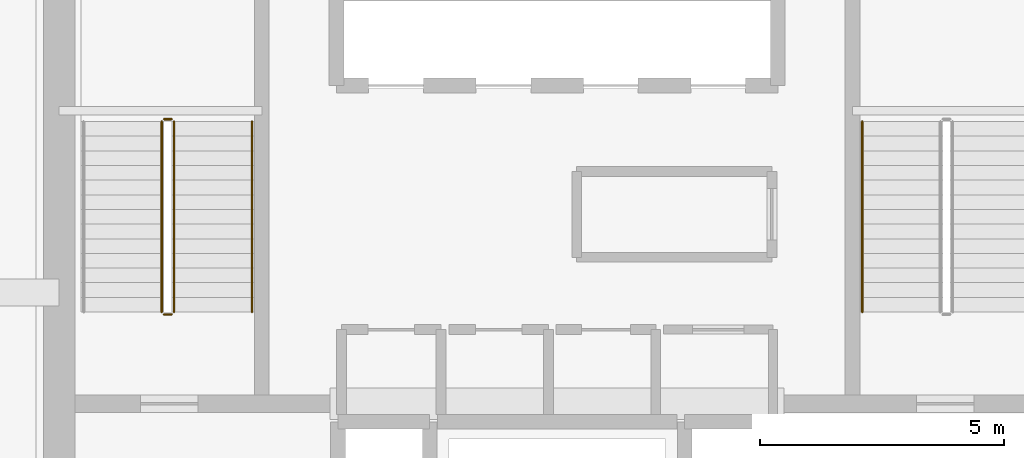
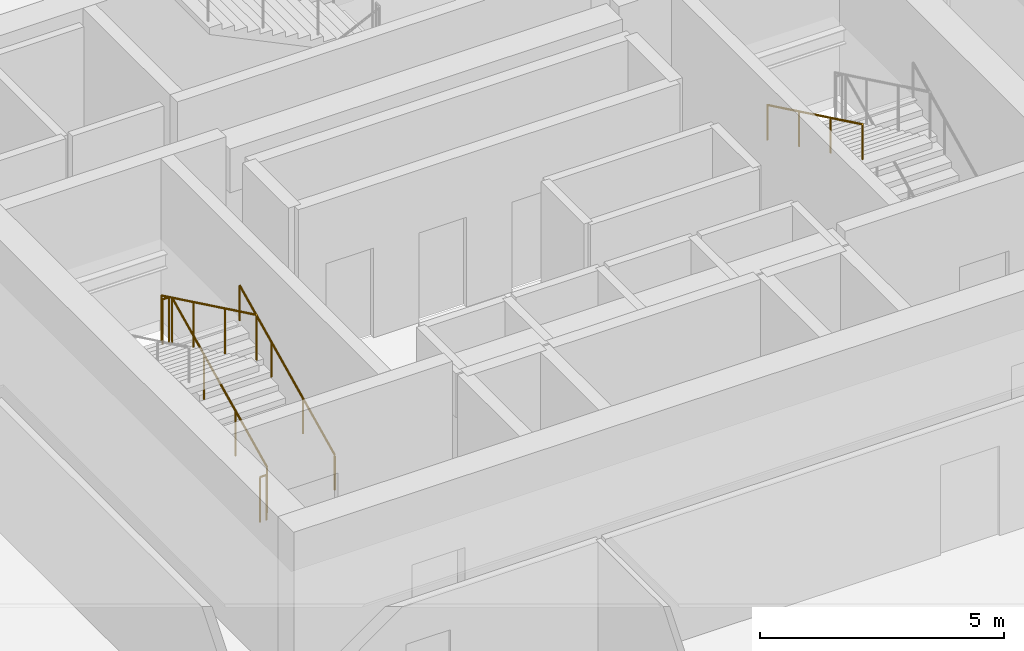
# One storey, part 18 of 27: 6 railings.
"""IFC4 building model written with IfcOpenShell, lengths in metres."""

from ifc_helpers import new_model, si_unit, direction, frame, origin, origin_2d, place, context, subcontext, project, spatial, circle, extrude, material, type_object, element, save


model = new_model("IFC4")

# Units and contexts
model_context = context("Model", 3, precision=1e-05, world=origin(), true_north=direction((0.0, 1.0)))
body_context = subcontext(model_context, "Body", "Model", "MODEL_VIEW")
ifc_project = project(units=[si_unit("LENGTHUNIT", "METRE"), si_unit("AREAUNIT", "SQUARE_METRE"), si_unit("VOLUMEUNIT", "CUBIC_METRE"), si_unit("PLANEANGLEUNIT", "RADIAN"), si_unit("MASSUNIT", "GRAM", prefix="KILO")], contexts=[model_context])

# Site, building, storey
site_placement = place(None, origin())
site = spatial("IfcSite", under=ifc_project, at=site_placement, CompositionType="ELEMENT")
building_placement = place(site_placement, origin())
building = spatial("IfcBuilding", under=site, at=building_placement, Name="Punatoya Terracotta Tower", CompositionType="ELEMENT")
storey_placement = place(building_placement, frame((0.0, 0.0, 204.60009765625)))
storey = spatial("IfcBuildingStorey", under=building, at=storey_placement, Name="L48", CompositionType="ELEMENT", Elevation=204.60009765625)

# Railings
ifc_material = material(Name="Steel S355", Category="steel")
railing_type_1 = type_object("IfcRailingType", Name="RLG-GRD-1150", PredefinedType="GUARDRAIL", material=ifc_material)
railing_1_placement = place(storey_placement, frame((-7.85009765625, -3.800048828125, 0.14453125)))
element("IfcRailing", 1, at=railing_1_placement, inside=storey, type_object=railing_type_1, Name="L48 ST-1 stair guard 1", PredefinedType="GUARDRAIL", context=body_context, shape_type="SweptSolid", body=[
    extrude(circle(Radius=0.02392578125, at=origin_2d()), frame((0.0, 0.0, 1.1259765625), z_axis=(0.0, 0.900773802044, 0.434288564841), x_axis=(-1.0, 0.0, 0.0)), (0.0, 0.0, 1.0), 4.329833984375),
    extrude(circle(Radius=0.02099609375, at=origin_2d()), origin(), (0.0, 0.0, 1.0), 1.101806640625),
    extrude(circle(Radius=0.02099609375, at=origin_2d()), frame((0.0, 1.300048828125, 0.626708984375)), (0.0, 0.0, 1.0), 1.101806640625),
    extrude(circle(Radius=0.02099609375, at=origin_2d()), frame((0.0, 2.60009765625, 1.253662109375)), (0.0, 0.0, 1.0), 1.101806640625),
    extrude(circle(Radius=0.02099609375, at=origin_2d()), frame((0.0, 3.900146484375, 1.88037109375)), (0.0, 0.0, 1.0), 1.101806640625),
])
railing_2_placement = place(storey_placement, frame((-7.89990234375, 0.14990234375, 2.02490234375)))
element("IfcRailing", 2, at=railing_2_placement, inside=storey, type_object=railing_type_1, Name="L48 ST-1 stair guard 2", PredefinedType="GUARDRAIL", context=body_context, shape_type="SweptSolid", body=[
    extrude(circle(Radius=0.02392578125, at=origin_2d()), frame((0.0, 0.0, 1.1259765625), z_axis=(-1.0, 0.0, 0.0), x_axis=(0.0, -1.0, 0.0)), (0.0, 0.0, 1.0), 0.150146484375),
    extrude(circle(Radius=0.02099609375, at=origin_2d()), origin(), (0.0, 0.0, 1.0), 1.101806640625),
    extrude(circle(Radius=0.02099609375, at=origin_2d()), frame((-0.150146484375, 0.0, 0.0)), (0.0, 0.0, 1.0), 1.101806640625),
])
railing_3_placement = place(storey_placement, frame((-8.10009765625, 0.10009765625, 2.16943359375)))
element("IfcRailing", 3, at=railing_3_placement, inside=storey, type_object=railing_type_1, Name="L48 ST-1 stair guard 3", PredefinedType="GUARDRAIL", context=body_context, shape_type="SweptSolid", body=[
    extrude(circle(Radius=0.02392578125, at=origin_2d()), frame((0.0, 0.0, 1.1259765625), z_axis=(0.0, -0.900773802044, 0.434288564841), x_axis=(1.0, 0.0, 0.0)), (0.0, 0.0, 1.0), 4.329833984375),
    extrude(circle(Radius=0.02099609375, at=origin_2d()), origin(), (0.0, 0.0, 1.0), 1.101806640625),
    extrude(circle(Radius=0.02099609375, at=origin_2d()), frame((0.0, -1.300048828125, 0.626708984375)), (0.0, 0.0, 1.0), 1.101806640625),
    extrude(circle(Radius=0.02099609375, at=origin_2d()), frame((0.0, -2.60009765625, 1.253662109375)), (0.0, 0.0, 1.0), 1.101806640625),
    extrude(circle(Radius=0.02099609375, at=origin_2d()), frame((0.0, -3.900146484375, 1.88037109375)), (0.0, 0.0, 1.0), 1.101806640625),
])
railing_4_placement = place(storey_placement, frame((-7.89990234375, -3.85009765625, 0.0)))
element("IfcRailing", 4, at=railing_4_placement, inside=storey, type_object=railing_type_1, Name="L48 ST-1 stair guard 4", PredefinedType="GUARDRAIL", context=body_context, shape_type="SweptSolid", body=[
    extrude(circle(Radius=0.02392578125, at=origin_2d()), frame((0.0, 0.0, 1.1259765625), z_axis=(-1.0, 0.0, 0.0), x_axis=(0.0, -1.0, 0.0)), (0.0, 0.0, 1.0), 0.150146484375),
    extrude(circle(Radius=0.02099609375, at=origin_2d()), origin(), (0.0, 0.0, 1.0), 1.101806640625),
    extrude(circle(Radius=0.02099609375, at=origin_2d()), frame((-0.150146484375, 0.0, 0.0)), (0.0, 0.0, 1.0), 1.101806640625),
])
railing_type_2 = type_object("IfcRailingType", Name="RLG-HND-900", PredefinedType="HANDRAIL", material=ifc_material)
railing_5_placement = place(storey_placement, frame((-6.25, -3.800048828125, 0.14453125)))
element("IfcRailing", 5, at=railing_5_placement, inside=storey, type_object=railing_type_2, Name="L48 ST-1 stair handrail 1", PredefinedType="HANDRAIL", context=body_context, shape_type="SweptSolid", body=[
    extrude(circle(Radius=0.02392578125, at=origin_2d()), frame((0.0, 0.0, 0.8759765625), z_axis=(0.0, 0.900773802044, 0.434288564841), x_axis=(-1.0, 0.0, 0.0)), (0.0, 0.0, 1.0), 4.329833984375),
    extrude(circle(Radius=0.02099609375, at=origin_2d()), origin(), (0.0, 0.0, 1.0), 0.851806640625),
    extrude(circle(Radius=0.02099609375, at=origin_2d()), frame((0.0, 1.300048828125, 0.626708984375)), (0.0, 0.0, 1.0), 0.851806640625),
    extrude(circle(Radius=0.02099609375, at=origin_2d()), frame((0.0, 2.60009765625, 1.253662109375)), (0.0, 0.0, 1.0), 0.851806640625),
    extrude(circle(Radius=0.02099609375, at=origin_2d()), frame((0.0, 3.900146484375, 1.88037109375)), (0.0, 0.0, 1.0), 0.851806640625),
])
railing_6_placement = place(storey_placement, frame((6.25, 0.10009765625, 2.16943359375)))
element("IfcRailing", 6, at=railing_6_placement, inside=storey, type_object=railing_type_2, Name="L48 ST-2 stair handrail 2", PredefinedType="HANDRAIL", context=body_context, shape_type="SweptSolid", body=[
    extrude(circle(Radius=0.02392578125, at=origin_2d()), frame((0.0, 0.0, 0.8759765625), z_axis=(0.0, -0.900773802044, 0.434288564841), x_axis=(1.0, 0.0, 0.0)), (0.0, 0.0, 1.0), 4.329833984375),
    extrude(circle(Radius=0.02099609375, at=origin_2d()), origin(), (0.0, 0.0, 1.0), 0.851806640625),
    extrude(circle(Radius=0.02099609375, at=origin_2d()), frame((0.0, -1.300048828125, 0.626708984375)), (0.0, 0.0, 1.0), 0.851806640625),
    extrude(circle(Radius=0.02099609375, at=origin_2d()), frame((0.0, -2.60009765625, 1.253662109375)), (0.0, 0.0, 1.0), 0.851806640625),
    extrude(circle(Radius=0.02099609375, at=origin_2d()), frame((0.0, -3.900146484375, 1.88037109375)), (0.0, 0.0, 1.0), 0.851806640625),
])

save(model, "model.ifc")
